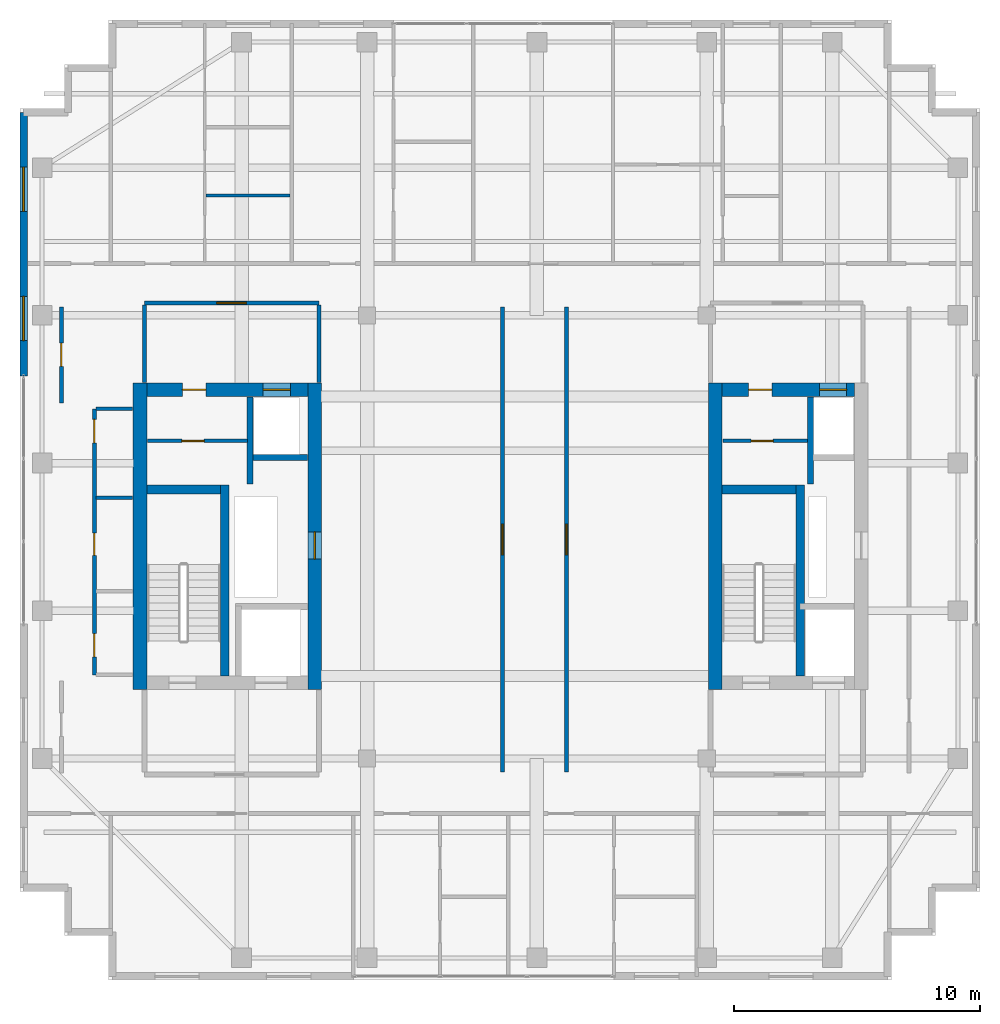
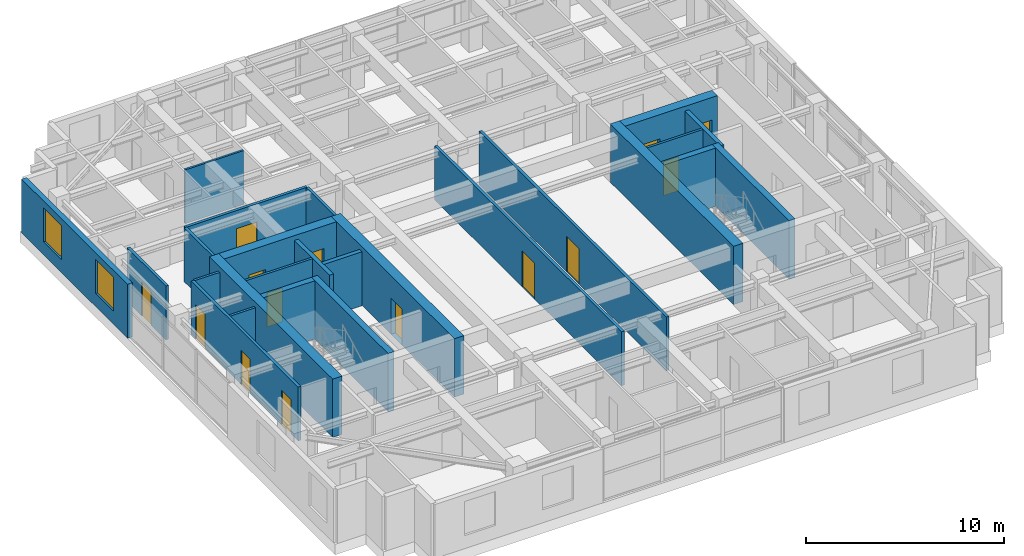
# One storey, part 18 of 21: 25 walls, 14 doors, 2 windows, 16 openings.
"""IFC4 building model written with IfcOpenShell, lengths in metres."""

from ifc_helpers import new_model, si_unit, direction, frame, frame_2d, origin, place, context, subcontext, project, spatial, rectangle, extrude, source, transform, mapped, material, layer, layer_set, type_object, element, fill, save


model = new_model("IFC4")

# Units and contexts
model_context = context("Model", 3, precision=1e-05, world=origin(), true_north=direction((0.0, 1.0)))
body_context = subcontext(model_context, "Body", "Model", "MODEL_VIEW")
ifc_project = project(units=[si_unit("LENGTHUNIT", "METRE"), si_unit("AREAUNIT", "SQUARE_METRE"), si_unit("VOLUMEUNIT", "CUBIC_METRE"), si_unit("PLANEANGLEUNIT", "RADIAN"), si_unit("MASSUNIT", "GRAM", prefix="KILO")], contexts=[model_context])

# Site, building, storey
site_placement = place(None, origin())
site = spatial("IfcSite", under=ifc_project, at=site_placement, CompositionType="ELEMENT")
building_placement = place(site_placement, origin())
building = spatial("IfcBuilding", under=site, at=building_placement, Name="Khoralis Quay Care Tower", CompositionType="ELEMENT")
storey_placement = place(building_placement, frame((0.0, 0.0, 267.300048828125)))
storey = spatial("IfcBuildingStorey", under=building, at=storey_placement, Name="L70", CompositionType="ELEMENT", Elevation=267.300048828125)

# Wall
ifc_material_1 = material(Name="Concrete C65/80", Category="concrete")
ifc_layer_1 = layer(ifc_material_1, 0.550048828125)
ifc_layer_set_1 = layer_set([ifc_layer_1], Name="Concrete C65/80")
wall_type_1 = type_object("IfcWallType", Name="WL-CORE-550", PredefinedType="SHEAR", material=ifc_layer_set_1)
wall_1_placement = place(storey_placement, frame((7.875, 14.800048828125, 0.0), z_axis=(0.0, 0.0, 1.0), x_axis=(0.0, 1.0, 0.0)))
element("IfcWall", 1, at=wall_1_placement, inside=storey, type_object=wall_type_1, Name="L70 WCORE West Shear Wall", PredefinedType="SHEAR", context=body_context, shape_type="SweptSolid", body=[
    extrude(rectangle(XDim=12.449951171875, YDim=0.550048828125, at=frame_2d((6.22509765625, 0.0))), origin(), (0.0, 0.0, 1.0), 3.599853515625),
])

# Wall, opening, door
wall_2_placement = place(storey_placement, frame((14.97509765625, 14.800048828125, 0.0), z_axis=(0.0, 0.0, 1.0), x_axis=(0.0, 1.0, 0.0)))
wall_2 = element("IfcWall", 2, at=wall_2_placement, inside=storey, type_object=wall_type_1, Name="L70 WCORE East Shear Wall", PredefinedType="SHEAR", context=body_context, shape_type="SweptSolid", body=[
    extrude(rectangle(XDim=12.449951171875, YDim=0.550048828125, at=frame_2d((6.22509765625, 0.0))), origin(), (0.0, 0.0, 1.0), 3.599853515625),
])
opening_1_placement = place(wall_2_placement, frame((5.300048828125, 0.0, 0.0)))
opening_1 = element("IfcOpeningElement", 3, at=opening_1_placement, cuts=wall_2, Name="Opening SD1", PredefinedType="OPENING", context=body_context, shape_type="SweptSolid", body=[
    extrude(rectangle(XDim=1.10009765625, YDim=2.199951171875, at=frame_2d((0.550048828125, 1.10009765625))), frame((0.0, 0.28515625, 0.0), z_axis=(0.0, -1.0, 0.0), x_axis=(1.0, 0.0, 0.0)), (0.0, 0.0, 1.0), 0.570068359375),
])
ifc_material_2 = material(Name="Fire-rated painted steel", Category="steel")
door_type_1 = type_object("IfcDoorType", Name="DR-STAIR-1100X2200", OperationType="NOTDEFINED", PredefinedType="DOOR", material=ifc_material_2)
shared_shape_1 = source(origin(), body_context, "Body", "SweptSolid", [
    extrude(rectangle(XDim=1.10009765625, YDim=2.199951171875, at=frame_2d((0.550048828125, 1.10009765625))), frame((0.0, 0.02490234375, 0.0), z_axis=(0.0, -1.0, 0.0), x_axis=(1.0, 0.0, 0.0)), (0.0, 0.0, 1.0), 0.050048828125),
])
door_1_placement = place(opening_1_placement, origin())
door_1 = element("IfcDoor", 4, at=door_1_placement, inside=storey, type_object=door_type_1, Name="L70 West MEP Riser Door", OperationType="SINGLE_SWING_RIGHT", OverallHeight=2.199951171875, OverallWidth=1.10009765625, PredefinedType="DOOR", context=body_context, shape_type="MappedRepresentation", body=[
    mapped(shared_shape_1, transform((0.0, 0.0, 0.0), scale=1.0)),
])
fill(opening_1, door_1)

# Wall, openings, doors
wall_3_placement = place(storey_placement, frame((8.14990234375, 26.97509765625, 0.0), z_axis=(0.0, 0.0, 1.0), x_axis=(1.0, 0.0, 0.0)))
wall_3 = element("IfcWall", 5, at=wall_3_placement, inside=storey, type_object=wall_type_1, Name="L70 WCORE North Shear Wall", PredefinedType="SHEAR", context=body_context, shape_type="SweptSolid", body=[
    extrude(rectangle(XDim=6.550048828125, YDim=0.550048828125, at=frame_2d((3.27490234375, 0.0))), origin(), (0.0, 0.0, 1.0), 3.599853515625),
])
opening_2_placement = place(wall_3_placement, frame((1.449951171875, 0.0, 0.0)))
opening_2 = element("IfcOpeningElement", 6, at=opening_2_placement, cuts=wall_3, Name="Opening ID1", PredefinedType="OPENING", context=body_context, shape_type="SweptSolid", body=[
    extrude(rectangle(XDim=0.949951171875, YDim=2.10009765625, at=frame_2d((0.47509765625, 1.050048828125))), frame((0.0, 0.28515625, 0.0), z_axis=(0.0, -1.0, 0.0), x_axis=(1.0, 0.0, 0.0)), (0.0, 0.0, 1.0), 0.570068359375),
])
opening_3_placement = place(wall_3_placement, frame((4.72998046875, 0.0, 0.0)))
opening_3 = element("IfcOpeningElement", 7, at=opening_3_placement, cuts=wall_3, Name="Opening LD1", PredefinedType="OPENING", context=body_context, shape_type="SweptSolid", body=[
    extrude(rectangle(XDim=1.10009765625, YDim=2.199951171875, at=frame_2d((0.550048828125, 1.10009765625))), frame((0.0, 0.28515625, 0.0), z_axis=(0.0, -1.0, 0.0), x_axis=(1.0, 0.0, 0.0)), (0.0, 0.0, 1.0), 0.570068359375),
])
ifc_material_3 = material(Name="Brushed stainless steel", Category="steel")
door_type_2 = type_object("IfcDoorType", Name="DR-LIFT-1100X2200", OperationType="SLIDING_TO_LEFT", PredefinedType="DOOR", material=ifc_material_3)
shared_shape_2 = source(origin(), body_context, "Body", "SweptSolid", [
    extrude(rectangle(XDim=1.10009765625, YDim=2.199951171875, at=frame_2d((0.550048828125, 1.10009765625))), frame((0.0, 0.02490234375, 0.0), z_axis=(0.0, -1.0, 0.0), x_axis=(1.0, 0.0, 0.0)), (0.0, 0.0, 1.0), 0.050048828125),
])
door_2_placement = place(opening_3_placement, origin())
door_2 = element("IfcDoor", 8, at=door_2_placement, inside=storey, type_object=door_type_2, Name="L70 Lift PLH1 Landing Door", OperationType="SLIDING_TO_LEFT", OverallHeight=2.199951171875, OverallWidth=1.10009765625, PredefinedType="DOOR", context=body_context, shape_type="MappedRepresentation", body=[
    mapped(shared_shape_2, transform((0.0, 0.0, 0.0), scale=1.0)),
])
fill(opening_3, door_2)
ifc_material_4 = material(Name="Acoustic hardwood timber", Category="wood")
door_type_3 = type_object("IfcDoorType", Name="DR-ROOM-950X2100", OperationType="NOTDEFINED", PredefinedType="DOOR", material=ifc_material_4)
shared_shape_3 = source(origin(), body_context, "Body", "SweptSolid", [
    extrude(rectangle(XDim=0.949951171875, YDim=2.10009765625, at=frame_2d((0.47509765625, 1.050048828125))), frame((0.0, 0.02490234375, 0.0), z_axis=(0.0, -1.0, 0.0), x_axis=(1.0, 0.0, 0.0)), (0.0, 0.0, 1.0), 0.050048828125),
])
door_3_placement = place(opening_2_placement, frame((0.949951171875, 0.0, 0.0), z_axis=(0.0, 0.0, 1.0), x_axis=(-1.0, 0.0, 0.0)))
door_3 = element("IfcDoor", 9, at=door_3_placement, inside=storey, type_object=door_type_3, Name="L70 Telemetry Study Door", OperationType="SINGLE_SWING_RIGHT", OverallHeight=2.10009765625, OverallWidth=0.949951171875, PredefinedType="DOOR", context=body_context, shape_type="MappedRepresentation", body=[
    mapped(shared_shape_3, transform((0.0, 0.0, 0.0), scale=1.0)),
])
fill(opening_2, door_3)

# Wall
wall_4_placement = place(storey_placement, frame((31.2451171875, 14.800048828125, 0.0), z_axis=(0.0, 0.0, 1.0), x_axis=(0.0, 1.0, 0.0)))
element("IfcWall", 10, at=wall_4_placement, inside=storey, type_object=wall_type_1, Name="L70 ECORE West Shear Wall", PredefinedType="SHEAR", context=body_context, shape_type="SweptSolid", body=[
    extrude(rectangle(XDim=12.449951171875, YDim=0.550048828125, at=frame_2d((6.22509765625, 0.0))), origin(), (0.0, 0.0, 1.0), 3.599853515625),
])

# Wall, openings, doors
wall_5_placement = place(storey_placement, frame((31.52001953125, 26.97509765625, 0.0), z_axis=(0.0, 0.0, 1.0), x_axis=(1.0, 0.0, 0.0)))
wall_5 = element("IfcWall", 11, at=wall_5_placement, inside=storey, type_object=wall_type_1, Name="L70 ECORE North Shear Wall", PredefinedType="SHEAR", context=body_context, shape_type="SweptSolid", body=[
    extrude(rectangle(XDim=5.3798828125, YDim=0.550048828125, at=frame_2d((2.68994140625, 0.0))), origin(), (0.0, 0.0, 1.0), 3.599853515625),
])
opening_4_placement = place(wall_5_placement, frame((1.080078125, 0.0, 0.0)))
opening_4 = element("IfcOpeningElement", 12, at=opening_4_placement, cuts=wall_5, Name="Opening ID1", PredefinedType="OPENING", context=body_context, shape_type="SweptSolid", body=[
    extrude(rectangle(XDim=0.949951171875, YDim=2.10009765625, at=frame_2d((0.47509765625, 1.050048828125))), frame((0.0, 0.28515625, 0.0), z_axis=(0.0, -1.0, 0.0), x_axis=(1.0, 0.0, 0.0)), (0.0, 0.0, 1.0), 0.570068359375),
])
opening_5_placement = place(wall_5_placement, frame((3.9599609375, 0.0, 0.0)))
opening_5 = element("IfcOpeningElement", 13, at=opening_5_placement, cuts=wall_5, Name="Opening LD1", PredefinedType="OPENING", context=body_context, shape_type="SweptSolid", body=[
    extrude(rectangle(XDim=1.10009765625, YDim=2.199951171875, at=frame_2d((0.550048828125, 1.10009765625))), frame((0.0, 0.28515625, 0.0), z_axis=(0.0, -1.0, 0.0), x_axis=(1.0, 0.0, 0.0)), (0.0, 0.0, 1.0), 0.570068359375),
])
door_4_placement = place(opening_5_placement, origin())
door_4 = element("IfcDoor", 14, at=door_4_placement, inside=storey, type_object=door_type_2, Name="L70 Lift PLH2 Landing Door", OperationType="SLIDING_TO_LEFT", OverallHeight=2.199951171875, OverallWidth=1.10009765625, PredefinedType="DOOR", context=body_context, shape_type="MappedRepresentation", body=[
    mapped(shared_shape_2, transform((0.0, 0.0, 0.0), scale=1.0)),
])
fill(opening_5, door_4)
door_5_placement = place(opening_4_placement, frame((0.949951171875, 0.0, 0.0), z_axis=(0.0, 0.0, 1.0), x_axis=(-1.0, 0.0, 0.0)))
door_5 = element("IfcDoor", 15, at=door_5_placement, inside=storey, type_object=door_type_3, Name="L70 Nutrition Pantry Door", OperationType="SINGLE_SWING_LEFT", OverallHeight=2.10009765625, OverallWidth=0.949951171875, PredefinedType="DOOR", context=body_context, shape_type="MappedRepresentation", body=[
    mapped(shared_shape_3, transform((0.0, 0.0, 0.0), scale=1.0)),
])
fill(opening_4, door_5)

# Wall, opening, door
ifc_material_5 = material(Name="Gypsum plasterboard on acoustic metal stud")
ifc_layer_2 = layer(ifc_material_5, 0.1650390625)
ifc_layer_set_2 = layer_set([ifc_layer_2], Name="Gypsum plasterboard on acoustic metal stud")
wall_type_2 = type_object("IfcWallType", Name="WL-CORR-165", PredefinedType="PARTITIONING", material=ifc_layer_set_2)
wall_6_placement = place(storey_placement, frame((8.050048828125, 30.5, 0.0), z_axis=(0.0, 0.0, 1.0), x_axis=(1.0, 0.0, 0.0)))
wall_6 = element("IfcWall", 16, at=wall_6_placement, inside=storey, type_object=wall_type_2, Name="L70 West Lift Lobby North Wall", PredefinedType="PARTITIONING", context=body_context, shape_type="SweptSolid", body=[
    extrude(rectangle(XDim=7.099853515625, YDim=0.1650390625, at=frame_2d((3.5498046875, 0.0))), origin(), (0.0, 0.0, 1.0), 3.320068359375),
])
opening_6_placement = place(wall_6_placement, frame((2.949951171875, 0.0, 0.0)))
opening_6 = element("IfcOpeningElement", 17, at=opening_6_placement, cuts=wall_6, Name="Opening FD1", PredefinedType="OPENING", context=body_context, shape_type="SweptSolid", body=[
    extrude(rectangle(XDim=1.199951171875, YDim=2.199951171875, at=frame_2d((0.60009765625, 1.10009765625))), frame((0.0, 0.092529296875, 0.0), z_axis=(0.0, -1.0, 0.0), x_axis=(1.0, 0.0, 0.0)), (0.0, 0.0, 1.0), 0.18505859375),
])
door_type_4 = type_object("IfcDoorType", Name="DR-FFL-1200X2200", OperationType="NOTDEFINED", PredefinedType="DOOR", material=ifc_material_2)
shared_shape_4 = source(origin(), body_context, "Body", "SweptSolid", [
    extrude(rectangle(XDim=1.199951171875, YDim=2.199951171875, at=frame_2d((0.60009765625, 1.10009765625))), frame((0.0, 0.02490234375, 0.0), z_axis=(0.0, -1.0, 0.0), x_axis=(1.0, 0.0, 0.0)), (0.0, 0.0, 1.0), 0.050048828125),
])
door_6_placement = place(opening_6_placement, origin())
door_6 = element("IfcDoor", 18, at=door_6_placement, inside=storey, type_object=door_type_4, Name="L70 West Lift Lobby Double Door", OperationType="DOUBLE_DOOR_SINGLE_SWING", OverallHeight=2.199951171875, OverallWidth=1.199951171875, PredefinedType="DOOR", context=body_context, shape_type="MappedRepresentation", body=[
    mapped(shared_shape_4, transform((0.0, 0.0, 0.0), scale=1.0)),
])
fill(opening_6, door_6)

# Walls
for number, where, z_axis, x_axis, name in (
    (19, (8.050048828125, 27.27001953125, 0.0), (0.0, 0.0, 1.0), (0.0, 1.0, 0.0), "L70 West Lift Lobby West Wall"),
    (20, (15.14990234375, 27.27001953125, 0.0), (0.0, 0.0, 1.0), (0.0, 1.0, 0.0), "L70 West Lift Lobby East Wall"),
):
    element("IfcWall", number, at=place(storey_placement, frame(where, z_axis=z_axis, x_axis=x_axis)), inside=storey, type_object=wall_type_2, Name=name, PredefinedType="PARTITIONING", context=body_context, shape_type="SweptSolid", body=[
        extrude(rectangle(XDim=3.152587890625, YDim=0.1650390625, at=frame_2d((1.576171875, 0.0))), origin(), (0.0, 0.0, 1.0), 3.320068359375),
    ])

# Wall, openings, doors
wall_7_placement = place(storey_placement, frame((6.02001953125, 15.39990234375, 0.0), z_axis=(0.0, 0.0, 1.0), x_axis=(0.0, 1.0, 0.0)))
wall_7 = element("IfcWall", 21, at=wall_7_placement, inside=storey, type_object=wall_type_2, Name="L70 West Core Service Flank Wall", PredefinedType="PARTITIONING", context=body_context, shape_type="SweptSolid", body=[
    extrude(rectangle(XDim=10.800048828125, YDim=0.1650390625, at=frame_2d((5.39990234375, 0.0))), origin(), (0.0, 0.0, 1.0), 3.320068359375),
])
opening_7_placement = place(wall_7_placement, frame((0.72509765625, 0.0, 0.0)))
opening_7 = element("IfcOpeningElement", 22, at=opening_7_placement, cuts=wall_7, Name="Opening ID1", PredefinedType="OPENING", context=body_context, shape_type="SweptSolid", body=[
    extrude(rectangle(XDim=0.949951171875, YDim=2.10009765625, at=frame_2d((0.47509765625, 1.050048828125))), frame((0.0, 0.092529296875, 0.0), z_axis=(0.0, -1.0, 0.0), x_axis=(1.0, 0.0, 0.0)), (0.0, 0.0, 1.0), 0.18505859375),
])
opening_8_placement = place(wall_7_placement, frame((4.85009765625, 0.0, 0.0)))
opening_8 = element("IfcOpeningElement", 23, at=opening_8_placement, cuts=wall_7, Name="Opening WD1", PredefinedType="OPENING", context=body_context, shape_type="SweptSolid", body=[
    extrude(rectangle(XDim=0.89990234375, YDim=2.10009765625, at=frame_2d((0.449951171875, 1.050048828125))), frame((0.0, 0.092529296875, 0.0), z_axis=(0.0, -1.0, 0.0), x_axis=(1.0, 0.0, 0.0)), (0.0, 0.0, 1.0), 0.18505859375),
])
opening_9_placement = place(wall_7_placement, frame((9.425048828125, 0.0, 0.0)))
opening_9 = element("IfcOpeningElement", 24, at=opening_9_placement, cuts=wall_7, Name="Opening ID1", PredefinedType="OPENING", context=body_context, shape_type="SweptSolid", body=[
    extrude(rectangle(XDim=0.949951171875, YDim=2.10009765625, at=frame_2d((0.47509765625, 1.050048828125))), frame((0.0, 0.092529296875, 0.0), z_axis=(0.0, -1.0, 0.0), x_axis=(1.0, 0.0, 0.0)), (0.0, 0.0, 1.0), 0.18505859375),
])
door_type_5 = type_object("IfcDoorType", Name="DR-BATH-900X2100", OperationType="NOTDEFINED", PredefinedType="DOOR", material=ifc_material_4)
shared_shape_5 = source(origin(), body_context, "Body", "SweptSolid", [
    extrude(rectangle(XDim=0.89990234375, YDim=2.10009765625, at=frame_2d((0.449951171875, 1.050048828125))), frame((0.0, 0.02490234375, 0.0), z_axis=(0.0, -1.0, 0.0), x_axis=(1.0, 0.0, 0.0)), (0.0, 0.0, 1.0), 0.050048828125),
])
door_7_placement = place(opening_8_placement, frame((0.89990234375, 0.0, 0.0), z_axis=(0.0, 0.0, 1.0), x_axis=(-1.0, 0.0, 0.0)))
door_7 = element("IfcDoor", 25, at=door_7_placement, inside=storey, type_object=door_type_5, Name="L70 Public Accessible WC Door", OperationType="SINGLE_SWING_RIGHT", OverallHeight=2.10009765625, OverallWidth=0.89990234375, PredefinedType="DOOR", context=body_context, shape_type="MappedRepresentation", body=[
    mapped(shared_shape_5, transform((0.0, 0.0, 0.0), scale=1.0)),
])
fill(opening_8, door_7)
door_8_placement = place(opening_7_placement, frame((0.949951171875, 0.0, 0.0), z_axis=(0.0, 0.0, 1.0), x_axis=(-1.0, 0.0, 0.0)))
door_8 = element("IfcDoor", 26, at=door_8_placement, inside=storey, type_object=door_type_3, Name="L70 Clean Utility Store Door", OperationType="SINGLE_SWING_LEFT", OverallHeight=2.10009765625, OverallWidth=0.949951171875, PredefinedType="DOOR", context=body_context, shape_type="MappedRepresentation", body=[
    mapped(shared_shape_3, transform((0.0, 0.0, 0.0), scale=1.0)),
])
fill(opening_7, door_8)
door_9_placement = place(opening_9_placement, frame((0.949951171875, 0.0, 0.0), z_axis=(0.0, 0.0, 1.0), x_axis=(-1.0, 0.0, 0.0)))
door_9 = element("IfcDoor", 27, at=door_9_placement, inside=storey, type_object=door_type_3, Name="L70 Electrical Switchboard Room Door", OperationType="SINGLE_SWING_LEFT", OverallHeight=2.10009765625, OverallWidth=0.949951171875, PredefinedType="DOOR", context=body_context, shape_type="MappedRepresentation", body=[
    mapped(shared_shape_3, transform((0.0, 0.0, 0.0), scale=1.0)),
])
fill(opening_9, door_9)

# Wall, opening, door
wall_8_placement = place(storey_placement, frame((22.60009765625, 11.449951171875, 0.0), z_axis=(0.0, 0.0, 1.0), x_axis=(0.0, 1.0, 0.0)))
wall_8 = element("IfcWall", 28, at=wall_8_placement, inside=storey, type_object=wall_type_2, Name="L70 Central Gallery West Wall", PredefinedType="PARTITIONING", context=body_context, shape_type="SweptSolid", body=[
    extrude(rectangle(XDim=18.900146484375, YDim=0.1650390625, at=frame_2d((9.4501953125, 0.0))), origin(), (0.0, 0.0, 1.0), 3.320068359375),
])
opening_10_placement = place(wall_8_placement, frame((8.824951171875, 0.0, 0.0)))
opening_10 = element("IfcOpeningElement", 29, at=opening_10_placement, cuts=wall_8, Name="Opening CD1", PredefinedType="OPENING", context=body_context, shape_type="SweptSolid", body=[
    extrude(rectangle(XDim=1.25, YDim=2.199951171875, at=frame_2d((0.625, 1.10009765625))), frame((0.0, 0.092529296875, 0.0), z_axis=(0.0, -1.0, 0.0), x_axis=(1.0, 0.0, 0.0)), (0.0, 0.0, 1.0), 0.18505859375),
])
door_type_6 = type_object("IfcDoorType", Name="DR-CARE-1250X2200", OperationType="NOTDEFINED", PredefinedType="DOOR", material=ifc_material_4)
shared_shape_6 = source(origin(), body_context, "Body", "SweptSolid", [
    extrude(rectangle(XDim=1.25, YDim=2.199951171875, at=frame_2d((0.625, 1.10009765625))), frame((0.0, 0.02490234375, 0.0), z_axis=(0.0, -1.0, 0.0), x_axis=(1.0, 0.0, 0.0)), (0.0, 0.0, 1.0), 0.050048828125),
])
door_10_placement = place(opening_10_placement, frame((1.25, 0.0, 0.0), z_axis=(0.0, 0.0, 1.0), x_axis=(-1.0, 0.0, 0.0)))
door_10 = element("IfcDoor", 30, at=door_10_placement, inside=storey, type_object=door_type_6, Name="L70 Penthouse Clinic Door", OperationType="SINGLE_SWING_LEFT", OverallHeight=2.199951171875, OverallWidth=1.25, PredefinedType="DOOR", context=body_context, shape_type="MappedRepresentation", body=[
    mapped(shared_shape_6, transform((0.0, 0.0, 0.0), scale=1.0)),
])
fill(opening_10, door_10)

wall_9_placement = place(storey_placement, frame((25.199951171875, 11.449951171875, 0.0), z_axis=(0.0, 0.0, 1.0), x_axis=(0.0, 1.0, 0.0)))
wall_9 = element("IfcWall", 31, at=wall_9_placement, inside=storey, type_object=wall_type_2, Name="L70 Central Gallery East Wall", PredefinedType="PARTITIONING", context=body_context, shape_type="SweptSolid", body=[
    extrude(rectangle(XDim=18.900146484375, YDim=0.1650390625, at=frame_2d((9.4501953125, 0.0))), origin(), (0.0, 0.0, 1.0), 3.320068359375),
])
opening_11_placement = place(wall_9_placement, frame((8.824951171875, 0.0, 0.0)))
opening_11 = element("IfcOpeningElement", 32, at=opening_11_placement, cuts=wall_9, Name="Opening CD1", PredefinedType="OPENING", context=body_context, shape_type="SweptSolid", body=[
    extrude(rectangle(XDim=1.25, YDim=2.199951171875, at=frame_2d((0.625, 1.10009765625))), frame((0.0, 0.092529296875, 0.0), z_axis=(0.0, -1.0, 0.0), x_axis=(1.0, 0.0, 0.0)), (0.0, 0.0, 1.0), 0.18505859375),
])
door_11_placement = place(opening_11_placement, origin())
door_11 = element("IfcDoor", 33, at=door_11_placement, inside=storey, type_object=door_type_6, Name="L70 Penthouse Lounge Door", OperationType="SINGLE_SWING_RIGHT", OverallHeight=2.199951171875, OverallWidth=1.25, PredefinedType="DOOR", context=body_context, shape_type="MappedRepresentation", body=[
    mapped(shared_shape_6, transform((0.0, 0.0, 0.0), scale=1.0)),
])
fill(opening_11, door_11)

wall_10_placement = place(storey_placement, frame((4.679931640625, 26.449951171875, 0.0), z_axis=(0.0, 0.0, 1.0), x_axis=(0.0, 1.0, 0.0)))
wall_10 = element("IfcWall", 34, at=wall_10_placement, inside=storey, type_object=wall_type_2, Name="L70 West Sky Sunroom North Wall", PredefinedType="PARTITIONING", context=body_context, shape_type="SweptSolid", body=[
    extrude(rectangle(XDim=3.900146484375, YDim=0.1650390625, at=frame_2d((1.9501953125, 0.0))), origin(), (0.0, 0.0, 1.0), 3.320068359375),
])
opening_12_placement = place(wall_10_placement, frame((1.47509765625, 0.0, 0.0)))
opening_12 = element("IfcOpeningElement", 35, at=opening_12_placement, cuts=wall_10, Name="Opening ID1", PredefinedType="OPENING", context=body_context, shape_type="SweptSolid", body=[
    extrude(rectangle(XDim=0.949951171875, YDim=2.10009765625, at=frame_2d((0.47509765625, 1.050048828125))), frame((0.0, 0.092529296875, 0.0), z_axis=(0.0, -1.0, 0.0), x_axis=(1.0, 0.0, 0.0)), (0.0, 0.0, 1.0), 0.18505859375),
])
door_12_placement = place(opening_12_placement, frame((0.949951171875, 0.0, 0.0), z_axis=(0.0, 0.0, 1.0), x_axis=(-1.0, 0.0, 0.0)))
door_12 = element("IfcDoor", 36, at=door_12_placement, inside=storey, type_object=door_type_3, Name="L70 West Study Door", OperationType="SINGLE_SWING_RIGHT", OverallHeight=2.10009765625, OverallWidth=0.949951171875, PredefinedType="DOOR", context=body_context, shape_type="MappedRepresentation", body=[
    mapped(shared_shape_3, transform((0.0, 0.0, 0.0), scale=1.0)),
])
fill(opening_12, door_12)

# Wall, openings, windows
ifc_material_6 = material(Name="Precast concrete C45/55", Category="concrete")
ifc_layer_3 = layer(ifc_material_6, 0.300048828125)
ifc_layer_set_3 = layer_set([ifc_layer_3], Name="Precast concrete C45/55")
wall_type_3 = type_object("IfcWallType", Name="WL-EXT-REF-300", PredefinedType="SOLIDWALL", material=ifc_layer_set_3)
wall_11_placement = place(storey_placement, frame((3.14990234375, 38.25, 0.0), z_axis=(0.0, 0.0, 1.0), x_axis=(0.0, -1.0, 0.0)))
wall_11 = element("IfcWall", 37, at=wall_11_placement, inside=storey, type_object=wall_type_3, Name="L70 External Facade Wall WL-EXT-L70-P1-E15A", PredefinedType="SOLIDWALL", context=body_context, shape_type="SweptSolid", body=[
    extrude(rectangle(XDim=10.7099609375, YDim=0.300048828125, at=frame_2d((5.35498046875, 0.0))), origin(), (0.0, 0.0, 1.0), 3.320068359375),
])
opening_13_placement = place(wall_11_placement, frame((2.22509765625, 0.0, 0.800048828125)))
opening_13 = element("IfcOpeningElement", 38, at=opening_13_placement, cuts=wall_11, Name="Opening W2", PredefinedType="OPENING", context=body_context, shape_type="SweptSolid", body=[
    extrude(rectangle(XDim=1.800048828125, YDim=2.10009765625, at=frame_2d((0.89990234375, 1.050048828125))), frame((0.0, 0.16015625, 0.0), z_axis=(0.0, -1.0, 0.0), x_axis=(1.0, 0.0, 0.0)), (0.0, 0.0, 1.0), 0.320068359375),
])
opening_14_placement = place(wall_11_placement, frame((7.47998046875, 0.0, 0.800048828125)))
opening_14 = element("IfcOpeningElement", 39, at=opening_14_placement, cuts=wall_11, Name="Opening W2", PredefinedType="OPENING", context=body_context, shape_type="SweptSolid", body=[
    extrude(rectangle(XDim=1.800048828125, YDim=2.10009765625, at=frame_2d((0.89990234375, 1.050048828125))), frame((0.0, 0.16015625, 0.0), z_axis=(0.0, -1.0, 0.0), x_axis=(1.0, 0.0, 0.0)), (0.0, 0.0, 1.0), 0.320068359375),
])
ifc_material_7 = material(Name="Low-E solar-control double glazing", Category="glass")
window_type = type_object("IfcWindowType", Name="WN-POD-1800X2100", PartitioningType="SINGLE_PANEL", PredefinedType="WINDOW", material=ifc_material_7)
shared_shape_7 = source(origin(), body_context, "Body", "SweptSolid", [
    extrude(rectangle(XDim=1.800048828125, YDim=2.10009765625, at=frame_2d((0.89990234375, 1.050048828125))), frame((0.0, 0.030029296875, 0.0), z_axis=(0.0, -1.0, 0.0), x_axis=(1.0, 0.0, 0.0)), (0.0, 0.0, 1.0), 0.06005859375),
])
window_1_placement = place(opening_13_placement, origin())
window_1 = element("IfcWindow", 40, at=window_1_placement, inside=storey, type_object=window_type, Name="WN-L70-P1-E15A Facade Window 01", OverallHeight=2.10009765625, OverallWidth=1.800048828125, PartitioningType="SINGLE_PANEL", PredefinedType="WINDOW", context=body_context, shape_type="MappedRepresentation", body=[
    mapped(shared_shape_7, transform((0.0, 0.0, 0.0), scale=1.0)),
])
fill(opening_13, window_1)
window_2_placement = place(opening_14_placement, origin())
window_2 = element("IfcWindow", 41, at=window_2_placement, inside=storey, type_object=window_type, Name="WN-L70-P1-E15A Facade Window 02", OverallHeight=2.10009765625, OverallWidth=1.800048828125, PartitioningType="SINGLE_PANEL", PredefinedType="WINDOW", context=body_context, shape_type="MappedRepresentation", body=[
    mapped(shared_shape_7, transform((0.0, 0.0, 0.0), scale=1.0)),
])
fill(opening_14, window_2)

# Walls
ifc_layer_4 = layer(ifc_material_5, 0.114990234375)
ifc_layer_set_4 = layer_set([ifc_layer_4], Name="Gypsum plasterboard on acoustic metal stud")
wall_type_4 = type_object("IfcWallType", Name="WL-PART-115", PredefinedType="PARTITIONING", material=ifc_layer_set_4)
wall_12_placement = place(storey_placement, frame((10.5595703125, 34.8720703125, 0.0), z_axis=(0.0, 0.0, 1.0), x_axis=(1.0, 0.0, 0.0)))
element("IfcWall", 42, at=wall_12_placement, inside=storey, type_object=wall_type_4, Name="L70 Unit 0 Kitchen Wall", PredefinedType="PARTITIONING", context=body_context, shape_type="SweptSolid", body=[
    extrude(rectangle(XDim=3.41552734375, YDim=0.114990234375, at=frame_2d((1.707763671875, 0.0))), origin(), (0.0, 0.0, 1.0), 3.320068359375),
])
ifc_material_8 = material(Name="Concrete C40/50", Category="concrete")
ifc_layer_5 = layer(ifc_material_8, 0.35009765625)
ifc_layer_set_5 = layer_set([ifc_layer_5], Name="Concrete C40/50")
wall_type_5 = type_object("IfcWallType", Name="WL-SC-CORE-350", PredefinedType="SHEAR", material=ifc_layer_set_5)
wall_13_placement = place(storey_placement, frame((11.324951171875, 15.35009765625, 0.0), z_axis=(0.0, 0.0, 1.0), x_axis=(0.0, 1.0, 0.0)))
element("IfcWall", 43, at=wall_13_placement, inside=storey, type_object=wall_type_5, Name="L70 Stair ST-T1 Shear Baffle Wall East", PredefinedType="SHEAR", context=body_context, shape_type="SweptSolid", body=[
    extrude(rectangle(XDim=7.75, YDim=0.35009765625, at=frame_2d((3.875, 0.0))), origin(), (0.0, 0.0, 1.0), 3.599853515625),
])
wall_14_placement = place(storey_placement, frame((8.14990234375, 22.925048828125, 0.0), z_axis=(0.0, 0.0, 1.0), x_axis=(1.0, 0.0, 0.0)))
element("IfcWall", 44, at=wall_14_placement, inside=storey, type_object=wall_type_5, Name="L70 Stair ST-T1 Shear Baffle Wall North", PredefinedType="SHEAR", context=body_context, shape_type="SweptSolid", body=[
    extrude(rectangle(XDim=3.0, YDim=0.35009765625, at=frame_2d((1.5, 0.0))), origin(), (0.0, 0.0, 1.0), 3.599853515625),
])
wall_15_placement = place(storey_placement, frame((34.695068359375, 15.35009765625, 0.0), z_axis=(0.0, 0.0, 1.0), x_axis=(0.0, 1.0, 0.0)))
element("IfcWall", 45, at=wall_15_placement, inside=storey, type_object=wall_type_5, Name="L70 Stair ST-T2 Shear Baffle Wall East", PredefinedType="SHEAR", context=body_context, shape_type="SweptSolid", body=[
    extrude(rectangle(XDim=7.75, YDim=0.35009765625, at=frame_2d((3.875, 0.0))), origin(), (0.0, 0.0, 1.0), 3.599853515625),
])
wall_16_placement = place(storey_placement, frame((31.52001953125, 22.925048828125, 0.0), z_axis=(0.0, 0.0, 1.0), x_axis=(1.0, 0.0, 0.0)))
element("IfcWall", 46, at=wall_16_placement, inside=storey, type_object=wall_type_5, Name="L70 Stair ST-T2 Shear Baffle Wall North", PredefinedType="SHEAR", context=body_context, shape_type="SweptSolid", body=[
    extrude(rectangle(XDim=3.0, YDim=0.35009765625, at=frame_2d((1.5, 0.0))), origin(), (0.0, 0.0, 1.0), 3.599853515625),
])
ifc_layer_6 = layer(ifc_material_5, 0.239990234375)
ifc_layer_set_6 = layer_set([ifc_layer_6], Name="Gypsum plasterboard on acoustic metal stud")
wall_type_6 = type_object("IfcWallType", Name="WL-SHAFT-240", PredefinedType="PARTITIONING", material=ifc_layer_set_6)
wall_17_placement = place(storey_placement, frame((12.35009765625, 23.139892578125, 0.0), z_axis=(0.0, 0.0, 1.0), x_axis=(0.0, 1.0, 0.0)))
element("IfcWall", 47, at=wall_17_placement, inside=storey, type_object=wall_type_6, Name="L70 High-Rise Reclaimed Bay Wall West", PredefinedType="PARTITIONING", context=body_context, shape_type="SweptSolid", body=[
    extrude(rectangle(XDim=3.5400390625, YDim=0.239990234375, at=frame_2d((1.77001953125, 0.0))), origin(), (0.0, 0.0, 1.0), 3.320068359375),
])
wall_18_placement = place(storey_placement, frame((12.465087890625, 24.22998046875, 0.0), z_axis=(0.0, 0.0, 1.0), x_axis=(1.0, 0.0, 0.0)))
element("IfcWall", 48, at=wall_18_placement, inside=storey, type_object=wall_type_6, Name="L70 High-Rise Shaft South Wall West", PredefinedType="PARTITIONING", context=body_context, shape_type="SweptSolid", body=[
    extrude(rectangle(XDim=2.21484375, YDim=0.239990234375, at=frame_2d((1.107421875, 0.0))), origin(), (0.0, 0.0, 1.0), 3.320068359375),
])
wall_19_placement = place(storey_placement, frame((35.110107421875, 23.139892578125, 0.0), z_axis=(0.0, 0.0, 1.0), x_axis=(0.0, 1.0, 0.0)))
element("IfcWall", 49, at=wall_19_placement, inside=storey, type_object=wall_type_6, Name="L70 High-Rise Reclaimed Bay Wall East", PredefinedType="PARTITIONING", context=body_context, shape_type="SweptSolid", body=[
    extrude(rectangle(XDim=3.5400390625, YDim=0.239990234375, at=frame_2d((1.77001953125, 0.0))), origin(), (0.0, 0.0, 1.0), 3.320068359375),
])

# Wall, opening, door
ifc_layer_7 = layer(ifc_material_5, 0.139892578125)
ifc_layer_set_7 = layer_set([ifc_layer_7], Name="Gypsum plasterboard on acoustic metal stud")
wall_type_7 = type_object("IfcWallType", Name="WL-UNIT-140", PredefinedType="PARTITIONING", material=ifc_layer_set_7)
wall_20_placement = place(storey_placement, frame((8.179931640625, 24.89990234375, 0.0), z_axis=(0.0, 0.0, 1.0), x_axis=(1.0, 0.0, 0.0)))
wall_20 = element("IfcWall", 50, at=wall_20_placement, inside=storey, type_object=wall_type_7, Name="L70 High-Rise West Core Split H", PredefinedType="PARTITIONING", context=body_context, shape_type="SweptSolid", body=[
    extrude(rectangle(XDim=4.05517578125, YDim=0.139892578125, at=frame_2d((2.027587890625, 0.0))), origin(), (0.0, 0.0, 1.0), 3.320068359375),
])
opening_15_placement = place(wall_20_placement, frame((1.39990234375, 0.0, 0.0)))
opening_15 = element("IfcOpeningElement", 51, at=opening_15_placement, cuts=wall_20, Name="Opening WD1", PredefinedType="OPENING", context=body_context, shape_type="SweptSolid", body=[
    extrude(rectangle(XDim=0.89990234375, YDim=2.10009765625, at=frame_2d((0.449951171875, 1.050048828125))), frame((0.0, 0.080078125, 0.0), z_axis=(0.0, -1.0, 0.0), x_axis=(1.0, 0.0, 0.0)), (0.0, 0.0, 1.0), 0.159912109375),
])
door_13_placement = place(opening_15_placement, frame((0.89990234375, 0.0, 0.0), z_axis=(0.0, 0.0, 1.0), x_axis=(-1.0, 0.0, 0.0)))
door_13 = element("IfcDoor", 52, at=door_13_placement, inside=storey, type_object=door_type_5, Name="L70 Medical Supply Door", OperationType="SINGLE_SWING_RIGHT", OverallHeight=2.10009765625, OverallWidth=0.89990234375, PredefinedType="DOOR", context=body_context, shape_type="MappedRepresentation", body=[
    mapped(shared_shape_5, transform((0.0, 0.0, 0.0), scale=1.0)),
])
fill(opening_15, door_13)

wall_21_placement = place(storey_placement, frame((31.550048828125, 24.89990234375, 0.0), z_axis=(0.0, 0.0, 1.0), x_axis=(1.0, 0.0, 0.0)))
wall_21 = element("IfcWall", 53, at=wall_21_placement, inside=storey, type_object=wall_type_7, Name="L70 High-Rise East Core Split H", PredefinedType="PARTITIONING", context=body_context, shape_type="SweptSolid", body=[
    extrude(rectangle(XDim=3.445068359375, YDim=0.139892578125, at=frame_2d((1.72265625, 0.0))), origin(), (0.0, 0.0, 1.0), 3.320068359375),
])
opening_16_placement = place(wall_21_placement, frame((1.14990234375, 0.0, 0.0)))
opening_16 = element("IfcOpeningElement", 54, at=opening_16_placement, cuts=wall_21, Name="Opening WD1", PredefinedType="OPENING", context=body_context, shape_type="SweptSolid", body=[
    extrude(rectangle(XDim=0.89990234375, YDim=2.10009765625, at=frame_2d((0.449951171875, 1.050048828125))), frame((0.0, 0.080078125, 0.0), z_axis=(0.0, -1.0, 0.0), x_axis=(1.0, 0.0, 0.0)), (0.0, 0.0, 1.0), 0.159912109375),
])
door_14_placement = place(opening_16_placement, frame((0.89990234375, 0.0, 0.0), z_axis=(0.0, 0.0, 1.0), x_axis=(-1.0, 0.0, 0.0)))
door_14 = element("IfcDoor", 55, at=door_14_placement, inside=storey, type_object=door_type_5, Name="L70 Rehab Store Door", OperationType="SINGLE_SWING_LEFT", OverallHeight=2.10009765625, OverallWidth=0.89990234375, PredefinedType="DOOR", context=body_context, shape_type="MappedRepresentation", body=[
    mapped(shared_shape_5, transform((0.0, 0.0, 0.0), scale=1.0)),
])
fill(opening_16, door_14)

# Walls
for number, where, z_axis, x_axis, name in (
    (56, (6.097412109375, 26.199951171875, 0.0), (0.0, 0.0, 1.0), (1.0, 0.0, 0.0), "L70 West Flank North Cap"),
    (57, (6.097412109375, 22.60009765625, 0.0), (0.0, 0.0, 1.0), (1.0, 0.0, 0.0), "L70 West Flank Divider 2"),
):
    element("IfcWall", number, at=place(storey_placement, frame(where, z_axis=z_axis, x_axis=x_axis)), inside=storey, type_object=wall_type_7, Name=name, PredefinedType="PARTITIONING", context=body_context, shape_type="SweptSolid", body=[
        extrude(rectangle(XDim=1.462646484375, YDim=0.139892578125, at=frame_2d((0.7314453125, 0.0))), origin(), (0.0, 0.0, 1.0), 3.320068359375),
    ])

save(model, "model.ifc")
